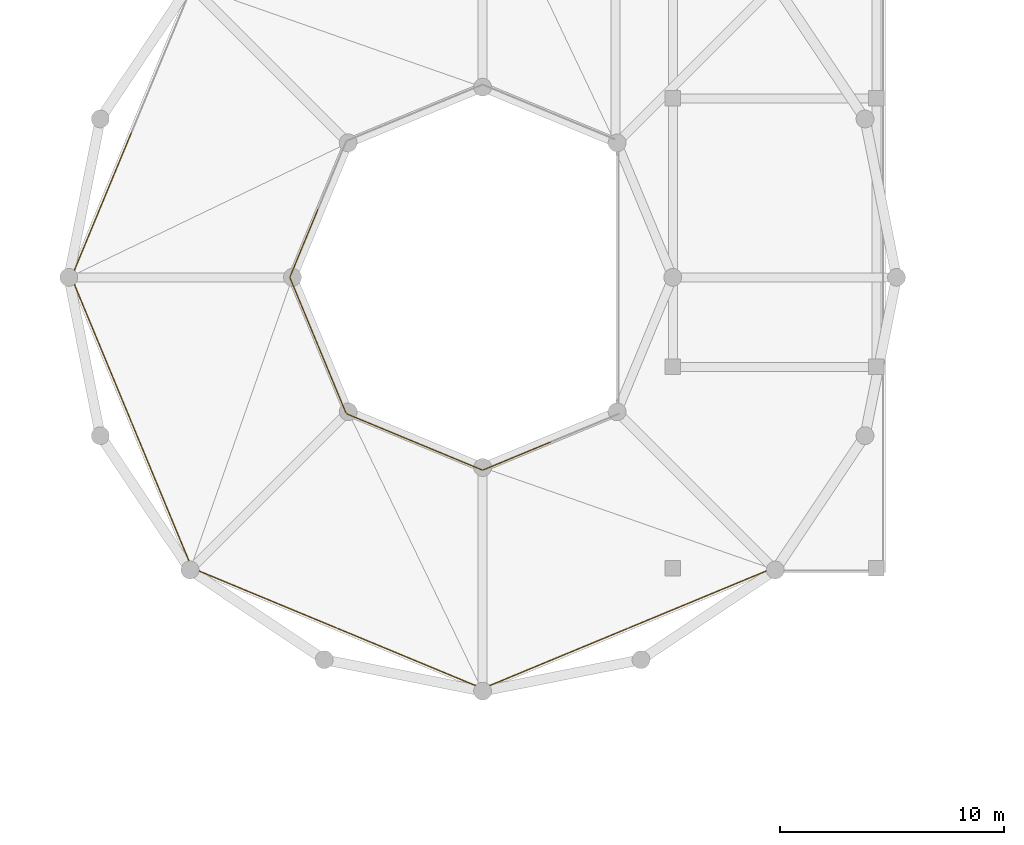
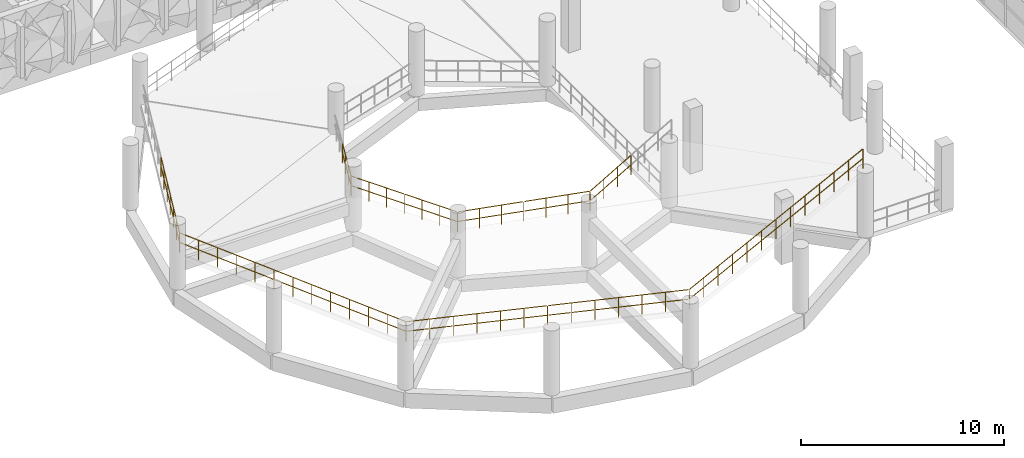
# One storey, part 106 of 123: 13 railings.
"""IFC4 building model written with IfcOpenShell, lengths in metres."""

import ifcopenshell
import ifcopenshell.guid

model = None  # the IFC model being written
_history = None  # IfcOwnerHistory: only IFC2X3 demands one
_inside = {}  # id of a spatial element -> (the spatial element, [elements in it])
_under = {}  # id of a project, library or spatial element -> (it, [spatial elements below it])
_declared = {}  # id of a project -> (the project, [libraries it declares])
_typed = {}  # id of a type object -> (the type object, [elements of that type])
_made_of = {}  # id of a material, layer set ... -> (it, [elements and type objects made of it])


def new_model(schema):
    """Start an empty IFC model of exactly this schema.

    Asked for "IFC4X3", IfcOpenShell would pick the latest addendum, in which some entities
    have other attributes; the version numbers below select the first issue.
    IFC2X3 requires an IfcOwnerHistory on every rooted entity: one is made here for all.
    """
    global model, _history
    if schema == "IFC4X3":
        model = ifcopenshell.file(schema_version=(4, 3, 0, 0))
    else:
        model = ifcopenshell.file(schema=schema)
    _inside.clear()
    _under.clear()
    _declared.clear()
    _typed.clear()
    _made_of.clear()
    _history = None
    if model.schema == "IFC2X3":
        org = make("IfcOrganization", Name="unknown")
        user = make(
            "IfcPersonAndOrganization",
            ThePerson=make("IfcPerson", FamilyName="unknown"),
            TheOrganization=org,
        )
        app = make(
            "IfcApplication",
            ApplicationDeveloper=org,
            Version="unknown",
            ApplicationFullName="unknown",
            ApplicationIdentifier="unknown",
        )
        _history = make(
            "IfcOwnerHistory",
            OwningUser=user,
            OwningApplication=app,
            ChangeAction="ADDED",
            CreationDate=0,
        )
    return model


def make(cls, **values):
    """One entity of the class cls with the attributes given. An attribute that is None is left unset."""
    return model.create_entity(
        cls, **{name: value for name, value in values.items() if value is not None}
    )


def rooted(cls, **values):
    """An entity with a GlobalId (a new one), such as an element, a storey or a relation."""
    return make(cls, GlobalId=ifcopenshell.guid.new(), OwnerHistory=_history, **values)


def si_unit(unit_type, name, prefix=None):
    """IfcSIUnit, for example si_unit("LENGTHUNIT", "METRE", prefix="MILLI")."""
    return make("IfcSIUnit", UnitType=unit_type, Prefix=prefix, Name=name)


def derived_unit(unit_type, elements):
    """IfcDerivedUnit: a product of units, each with its exponent."""
    return make(
        "IfcDerivedUnit",
        Elements=[
            make("IfcDerivedUnitElement", Unit=unit, Exponent=power)
            for unit, power in elements
        ],
        UnitType=unit_type,
    )


def assignment(units):
    """IfcUnitAssignment: the units of a project."""
    return None if units is None else make("IfcUnitAssignment", Units=units)


def point(xyz):
    """IfcCartesianPoint."""
    return None if xyz is None else make("IfcCartesianPoint", Coordinates=xyz)


def direction(xyz):
    """IfcDirection."""
    return None if xyz is None else make("IfcDirection", DirectionRatios=xyz)


def frame(location, z_axis=None, x_axis=None):
    """IfcAxis2Placement3D, a coordinate frame: its origin and axes. An axis left out is left unset."""
    return make(
        "IfcAxis2Placement3D",
        Location=point(location),
        Axis=direction(z_axis),
        RefDirection=direction(x_axis),
    )


def frame_2d(location, x_axis=None):
    """IfcAxis2Placement2D, a coordinate frame in the plane: its origin and x axis."""
    return make(
        "IfcAxis2Placement2D", Location=point(location), RefDirection=direction(x_axis)
    )


def origin():
    """The frame at (0, 0, 0) with its axes left unset."""
    return frame((0.0, 0.0, 0.0))


def origin_2d():
    """The frame at (0, 0) in the plane with its x axis left unset."""
    return frame_2d((0.0, 0.0))


def place(relative_to, where):
    """IfcLocalPlacement: puts the frame where relative to a parent placement (None: the world)."""
    return make(
        "IfcLocalPlacement", PlacementRelTo=relative_to, RelativePlacement=where
    )


def context(
    kind, dimensions, precision=None, world=None, true_north=None, identifier=None
):
    """IfcGeometricRepresentationContext, for example the 3D "Model" context."""
    return make(
        "IfcGeometricRepresentationContext",
        ContextIdentifier=identifier,
        ContextType=kind,
        CoordinateSpaceDimension=dimensions,
        Precision=precision,
        WorldCoordinateSystem=world,
        TrueNorth=true_north,
    )


def subcontext(parent, identifier, kind, view, scale=None):
    """IfcGeometricRepresentationSubContext, for example "Body" below "Model"."""
    return make(
        "IfcGeometricRepresentationSubContext",
        ContextIdentifier=identifier,
        ContextType=kind,
        ParentContext=parent,
        TargetScale=scale,
        TargetView=view,
    )


def project(units=None, contexts=None):
    """IfcProject with its units and contexts."""
    return rooted(
        "IfcProject",
        Name="project",
        RepresentationContexts=contexts,
        UnitsInContext=assignment(units),
    )


def spatial(cls, under=None, at=None, **own):
    """A site, building, storey or space (cls), placed at a placement, below another one or the project."""
    s = rooted(cls, ObjectPlacement=at, **own)
    if under is not None:
        _under.setdefault(under.id(), (under, []))[1].append(s)
    return s


def profile(cls, at=None, kind="AREA", **sizes):
    """A parametric profile (cls). Its sizes go by their IFC names, for example OverallWidth=200.0."""
    return make(cls, ProfileType=kind, Position=at, **sizes)


def circle(**sizes):
    """IfcCircleProfileDef."""
    return profile("IfcCircleProfileDef", **sizes)


def extrude(swept, where, along, depth):
    """IfcExtrudedAreaSolid: the profile swept, set in the frame where, extruded along a direction by depth."""
    return make(
        "IfcExtrudedAreaSolid",
        SweptArea=swept,
        Position=where,
        ExtrudedDirection=direction(along),
        Depth=depth,
    )


def shape(context_of_items, identifier, shape_type, items):
    """IfcShapeRepresentation: the items that make up one representation, for example the "Body"."""
    return make(
        "IfcShapeRepresentation",
        ContextOfItems=context_of_items,
        RepresentationIdentifier=identifier,
        RepresentationType=shape_type,
        Items=items,
    )


def material(Name=None, Category=None):
    """IfcMaterial."""
    return make("IfcMaterial", Name=Name, Category=Category)


def made_of(thing, what):
    """Note that an element or type object is made of a material, layer set ...; save() writes the relation."""
    if what is not None:
        _made_of.setdefault(what.id(), (what, []))[1].append(thing)
    return thing


def type_object(cls, material=None, **own):
    """A type object (cls), such as IfcWallType, which elements share."""
    return made_of(rooted(cls, **own), material)


def element(
    cls,
    number,
    at=None,
    inside=None,
    cuts=None,
    type_object=None,
    material=None,
    context=None,
    identifier="Body",
    shape_type=None,
    held_by="IfcProductDefinitionShape",
    body=None,
    shapes=None,
    **own,
):
    """One element of the class cls, such as IfcWall. Its Tag is "e" and its number.

    at: its placement. inside: the storey or other place that contains it. cuts: it is an
    opening in that element (IfcRelVoidsElement). A single representation is given by context,
    identifier, shape_type and body (its items); several are given by shapes. held_by: the class
    of the entity that holds the representations. save() writes the other relations.
    """
    e = rooted(cls, Tag="e%d" % number, ObjectPlacement=at, **own)
    if body is not None:
        shapes = [shape(context, identifier, shape_type, body)]
    if shapes is not None:
        e.Representation = make(held_by, Representations=shapes)
    if inside is not None:
        _inside.setdefault(inside.id(), (inside, []))[1].append(e)
    if cuts is not None:
        rooted(
            "IfcRelVoidsElement", RelatingBuildingElement=cuts, RelatedOpeningElement=e
        )
    if type_object is not None:
        _typed.setdefault(type_object.id(), (type_object, []))[1].append(e)
    return made_of(e, material)


def aggregate(whole, parts):
    """IfcRelAggregates: a whole, such as a stair, and the parts it consists of."""
    return rooted("IfcRelAggregates", RelatingObject=whole, RelatedObjects=parts)


def save(model, path):
    """Write the relations noted so far, then the file.

    IfcRelAggregates (storeys below a building ...), IfcRelContainedInSpatialStructure (elements
    in a storey), IfcRelDefinesByType, IfcRelAssociatesMaterial and IfcRelDeclares: one each for
    every whole, place, type object, material and project.
    """
    for whole, parts in _under.values():
        aggregate(whole, parts)
    for where, things in _inside.values():
        rooted(
            "IfcRelContainedInSpatialStructure",
            RelatedElements=things,
            RelatingStructure=where,
        )
    for kind, things in _typed.values():
        rooted("IfcRelDefinesByType", RelatedObjects=things, RelatingType=kind)
    for what, things in _made_of.values():
        rooted("IfcRelAssociatesMaterial", RelatedObjects=things, RelatingMaterial=what)
    for by, libraries in _declared.values():
        rooted("IfcRelDeclares", RelatingContext=by, RelatedDefinitions=libraries)
    model.write(path)


model = new_model("IFC4")

# Units and contexts
model_context = context("Model", 3, precision=1e-05, world=origin(), true_north=direction((0.0, 1.0)))
body_context = subcontext(model_context, "Body", "Model", "MODEL_VIEW")
ifc_project = project(units=[si_unit("LENGTHUNIT", "METRE"), si_unit("AREAUNIT", "SQUARE_METRE"), si_unit("VOLUMEUNIT", "CUBIC_METRE"), si_unit("PLANEANGLEUNIT", "RADIAN"), si_unit("MASSUNIT", "GRAM", prefix="KILO"), si_unit("THERMODYNAMICTEMPERATUREUNIT", "KELVIN"), derived_unit("THERMALTRANSMITTANCEUNIT", [(si_unit("POWERUNIT", "WATT"), 1), (si_unit("AREAUNIT", "SQUARE_METRE"), -1), (si_unit("THERMODYNAMICTEMPERATUREUNIT", "KELVIN"), -1)])], contexts=[model_context])

# Site, building, storey
site_placement = place(None, origin())
site = spatial("IfcSite", under=ifc_project, at=site_placement, CompositionType="ELEMENT")
building_placement = place(site_placement, origin())
building = spatial("IfcBuilding", under=site, at=building_placement, Name="Haiyu Intermodal Mobility Hub", CompositionType="ELEMENT")
storey_placement = place(building_placement, frame((0.0, 0.0, 5.60009765625)))
storey = spatial("IfcBuildingStorey", under=building, at=storey_placement, Name="L01", CompositionType="ELEMENT", Elevation=5.60009765625)

# Railings
ifc_material = material(Name="Steel Q355C", Category="steel")
railing_type = type_object("IfcRailingType", Name="RAL-GR01", PredefinedType="GUARDRAIL", material=ifc_material)
railing_1_placement = place(storey_placement, frame((18.31201171875, 66.498046875, 1.625)))
element("IfcRailing", 1, at=railing_1_placement, inside=storey, type_object=railing_type, Name="RAL-VRMP-O-L01-03B", PredefinedType="GUARDRAIL", context=body_context, shape_type="SweptSolid", body=[
    extrude(circle(Radius=0.02392578125, at=origin_2d()), frame((-0.011474609375, -0.027587890625, 1.17724609375), z_axis=(-0.382313907833, -0.922879282684, 0.046150898905), x_axis=(0.923863678282, -0.382721705618, 0.0)), (0.0, 0.0, 1.0), 6.98095703125),
    extrude(circle(Radius=0.02392578125, at=origin_2d()), frame((-0.01416015625, -0.034423828125, 0.601806640625), z_axis=(-0.382313907833, -0.922879282684, 0.046150898905), x_axis=(0.923863678282, -0.382721705618, 0.0)), (0.0, 0.0, 1.0), 1.098876953125),
    extrude(circle(Radius=0.02392578125, at=origin_2d()), frame((-0.462890625, -1.117431640625, 0.65576171875), z_axis=(-0.382313907833, -0.922879282684, 0.046150898905), x_axis=(0.923863678282, -0.382721705618, 0.0)), (0.0, 0.0, 1.0), 1.098876953125),
    extrude(circle(Radius=0.02392578125, at=origin_2d()), frame((-0.91162109375, -2.200439453125, 0.7099609375), z_axis=(-0.382313907833, -0.922879282684, 0.046150898905), x_axis=(0.923863678282, -0.382721705618, 0.0)), (0.0, 0.0, 1.0), 1.098876953125),
    extrude(circle(Radius=0.02392578125, at=origin_2d()), frame((-1.360107421875, -3.283447265625, 0.76416015625), z_axis=(-0.382313907833, -0.922879282684, 0.046150898905), x_axis=(0.923863678282, -0.382721705618, 0.0)), (0.0, 0.0, 1.0), 1.098876953125),
    extrude(circle(Radius=0.02392578125, at=origin_2d()), frame((-1.808837890625, -4.366455078125, 0.818359375), z_axis=(-0.382313907833, -0.922879282684, 0.046150898905), x_axis=(0.923863678282, -0.382721705618, 0.0)), (0.0, 0.0, 1.0), 1.098876953125),
    extrude(circle(Radius=0.02392578125, at=origin_2d()), frame((-2.257568359375, -5.449462890625, 0.87255859375), z_axis=(-0.382313907833, -0.922879282684, 0.046150898905), x_axis=(0.923863678282, -0.382721705618, 0.0)), (0.0, 0.0, 1.0), 1.098876953125),
    extrude(circle(Radius=0.02099609375, at=origin_2d()), origin(), (0.0, 0.0, 1.0), 1.143798828125),
    extrude(circle(Radius=0.02099609375, at=origin_2d()), frame((-0.44873046875, -1.0830078125, 0.05419921875)), (0.0, 0.0, 1.0), 1.143798828125),
    extrude(circle(Radius=0.02099609375, at=origin_2d()), frame((-0.897216796875, -2.166015625, 0.1083984375)), (0.0, 0.0, 1.0), 1.143798828125),
    extrude(circle(Radius=0.02099609375, at=origin_2d()), frame((-1.345947265625, -3.2490234375, 0.16259765625)), (0.0, 0.0, 1.0), 1.143798828125),
    extrude(circle(Radius=0.02099609375, at=origin_2d()), frame((-1.794677734375, -4.33203125, 0.216552734375)), (0.0, 0.0, 1.0), 1.143798828125),
    extrude(circle(Radius=0.02099609375, at=origin_2d()), frame((-2.2431640625, -5.4150390625, 0.270751953125)), (0.0, 0.0, 1.0), 1.143798828125),
    extrude(circle(Radius=0.02099609375, at=origin_2d()), frame((-2.69189453125, -6.498046875, 0.324951171875)), (0.0, 0.0, 1.0), 1.143798828125),
])
railing_2_placement = place(storey_placement, frame((26.64208984375, 63.048095703125, 1.625)))
element("IfcRailing", 2, at=railing_2_placement, inside=storey, type_object=railing_type, Name="RAL-VRMP-I-L01-03B", PredefinedType="GUARDRAIL", context=body_context, shape_type="SweptSolid", body=[
    extrude(circle(Radius=0.02392578125, at=origin_2d()), frame((-0.011474609375, -0.027587890625, 1.178955078125), z_axis=(-0.380748953641, -0.919468217836, 0.098022602959), x_axis=(0.923917630863, -0.382591441855, 0.0)), (0.0, 0.0, 1.0), 3.255126953125),
    extrude(circle(Radius=0.02392578125, at=origin_2d()), frame((-0.01416015625, -0.0341796875, 0.603515625), z_axis=(-0.380748953641, -0.919468217836, 0.098022602959), x_axis=(0.923917630863, -0.382591441855, 0.0)), (0.0, 0.0, 1.0), 1.030517578125),
    extrude(circle(Radius=0.02392578125, at=origin_2d()), frame((-0.434814453125, -1.05029296875, 0.7119140625), z_axis=(-0.380748953641, -0.919468217836, 0.098022602959), x_axis=(0.923917630863, -0.382591441855, 0.0)), (0.0, 0.0, 1.0), 1.030517578125),
    extrude(circle(Radius=0.02392578125, at=origin_2d()), frame((-0.855712890625, -2.06640625, 0.8203125), z_axis=(-0.380748953641, -0.919468217836, 0.098022602959), x_axis=(0.923917630863, -0.382591441855, 0.0)), (0.0, 0.0, 1.0), 1.030517578125),
    extrude(circle(Radius=0.02099609375, at=origin_2d()), origin(), (0.0, 0.0, 1.0), 1.143798828125),
    extrude(circle(Radius=0.02099609375, at=origin_2d()), frame((-0.420654296875, -1.01611328125, 0.1083984375)), (0.0, 0.0, 1.0), 1.143798828125),
    extrude(circle(Radius=0.02099609375, at=origin_2d()), frame((-0.841552734375, -2.031982421875, 0.216552734375)), (0.0, 0.0, 1.0), 1.143798828125),
    extrude(circle(Radius=0.02099609375, at=origin_2d()), frame((-1.26220703125, -3.048095703125, 0.324951171875)), (0.0, 0.0, 1.0), 1.143798828125),
])
railing_3_placement = place(storey_placement, frame((15.6201171875, 60.0, 1.949951171875)))
element("IfcRailing", 3, at=railing_3_placement, inside=storey, type_object=railing_type, Name="RAL-VRMP-O-L01-04A", PredefinedType="GUARDRAIL", context=body_context, shape_type="SweptSolid", body=[
    extrude(circle(Radius=0.02392578125, at=origin_2d()), frame((0.011474609375, -0.027587890625, 1.17724609375), z_axis=(0.382313907833, -0.922879282684, 0.046150898905), x_axis=(0.923863678282, 0.382721705618, 0.0)), (0.0, 0.0, 1.0), 6.98095703125),
    extrude(circle(Radius=0.02392578125, at=origin_2d()), frame((0.01416015625, -0.034423828125, 0.601806640625), z_axis=(0.382313907833, -0.922879282684, 0.046150898905), x_axis=(0.923863678282, 0.382721705618, 0.0)), (0.0, 0.0, 1.0), 1.098876953125),
    extrude(circle(Radius=0.02392578125, at=origin_2d()), frame((0.462890625, -1.117431640625, 0.65576171875), z_axis=(0.382313907833, -0.922879282684, 0.046150898905), x_axis=(0.923863678282, 0.382721705618, 0.0)), (0.0, 0.0, 1.0), 1.098876953125),
    extrude(circle(Radius=0.02392578125, at=origin_2d()), frame((0.91162109375, -2.200439453125, 0.7099609375), z_axis=(0.382313907833, -0.922879282684, 0.046150898905), x_axis=(0.923863678282, 0.382721705618, 0.0)), (0.0, 0.0, 1.0), 1.098876953125),
    extrude(circle(Radius=0.02392578125, at=origin_2d()), frame((1.360107421875, -3.283447265625, 0.76416015625), z_axis=(0.382313907833, -0.922879282684, 0.046150898905), x_axis=(0.923863678282, 0.382721705618, 0.0)), (0.0, 0.0, 1.0), 1.098876953125),
    extrude(circle(Radius=0.02392578125, at=origin_2d()), frame((1.808837890625, -4.366455078125, 0.818359375), z_axis=(0.382313907833, -0.922879282684, 0.046150898905), x_axis=(0.923863678282, 0.382721705618, 0.0)), (0.0, 0.0, 1.0), 1.098876953125),
    extrude(circle(Radius=0.02392578125, at=origin_2d()), frame((2.257568359375, -5.449462890625, 0.87255859375), z_axis=(0.382313907833, -0.922879282684, 0.046150898905), x_axis=(0.923863678282, 0.382721705618, 0.0)), (0.0, 0.0, 1.0), 1.098876953125),
    extrude(circle(Radius=0.02099609375, at=origin_2d()), origin(), (0.0, 0.0, 1.0), 1.143798828125),
    extrude(circle(Radius=0.02099609375, at=origin_2d()), frame((0.44873046875, -1.0830078125, 0.05419921875)), (0.0, 0.0, 1.0), 1.143798828125),
    extrude(circle(Radius=0.02099609375, at=origin_2d()), frame((0.897216796875, -2.166015625, 0.1083984375)), (0.0, 0.0, 1.0), 1.143798828125),
    extrude(circle(Radius=0.02099609375, at=origin_2d()), frame((1.345947265625, -3.2490234375, 0.16259765625)), (0.0, 0.0, 1.0), 1.143798828125),
    extrude(circle(Radius=0.02099609375, at=origin_2d()), frame((1.794677734375, -4.33203125, 0.216552734375)), (0.0, 0.0, 1.0), 1.143798828125),
    extrude(circle(Radius=0.02099609375, at=origin_2d()), frame((2.2431640625, -5.4150390625, 0.270751953125)), (0.0, 0.0, 1.0), 1.143798828125),
    extrude(circle(Radius=0.02099609375, at=origin_2d()), frame((2.69189453125, -6.498046875, 0.324951171875)), (0.0, 0.0, 1.0), 1.143798828125),
])
railing_4_placement = place(storey_placement, frame((18.31201171875, 53.501953125, 2.27490234375)))
element("IfcRailing", 4, at=railing_4_placement, inside=storey, type_object=railing_type, Name="RAL-VRMP-O-L01-04B", PredefinedType="GUARDRAIL", context=body_context, shape_type="SweptSolid", body=[
    extrude(circle(Radius=0.02392578125, at=origin_2d()), frame((0.011474609375, -0.027587890625, 1.17724609375), z_axis=(0.382313907833, -0.922879282684, 0.046150898905), x_axis=(0.923863678282, 0.382721705618, 0.0)), (0.0, 0.0, 1.0), 6.98095703125),
    extrude(circle(Radius=0.02392578125, at=origin_2d()), frame((0.01416015625, -0.034423828125, 0.601806640625), z_axis=(0.382313907833, -0.922879282684, 0.046150898905), x_axis=(0.923863678282, 0.382721705618, 0.0)), (0.0, 0.0, 1.0), 1.098876953125),
    extrude(circle(Radius=0.02392578125, at=origin_2d()), frame((0.462890625, -1.117431640625, 0.65576171875), z_axis=(0.382313907833, -0.922879282684, 0.046150898905), x_axis=(0.923863678282, 0.382721705618, 0.0)), (0.0, 0.0, 1.0), 1.098876953125),
    extrude(circle(Radius=0.02392578125, at=origin_2d()), frame((0.91162109375, -2.200439453125, 0.7099609375), z_axis=(0.382313907833, -0.922879282684, 0.046150898905), x_axis=(0.923863678282, 0.382721705618, 0.0)), (0.0, 0.0, 1.0), 1.098876953125),
    extrude(circle(Radius=0.02392578125, at=origin_2d()), frame((1.360107421875, -3.283447265625, 0.76416015625), z_axis=(0.382313907833, -0.922879282684, 0.046150898905), x_axis=(0.923863678282, 0.382721705618, 0.0)), (0.0, 0.0, 1.0), 1.098876953125),
    extrude(circle(Radius=0.02392578125, at=origin_2d()), frame((1.808837890625, -4.366455078125, 0.818359375), z_axis=(0.382313907833, -0.922879282684, 0.046150898905), x_axis=(0.923863678282, 0.382721705618, 0.0)), (0.0, 0.0, 1.0), 1.098876953125),
    extrude(circle(Radius=0.02392578125, at=origin_2d()), frame((2.257568359375, -5.449462890625, 0.87255859375), z_axis=(0.382313907833, -0.922879282684, 0.046150898905), x_axis=(0.923863678282, 0.382721705618, 0.0)), (0.0, 0.0, 1.0), 1.098876953125),
    extrude(circle(Radius=0.02099609375, at=origin_2d()), origin(), (0.0, 0.0, 1.0), 1.143798828125),
    extrude(circle(Radius=0.02099609375, at=origin_2d()), frame((0.44873046875, -1.0830078125, 0.05419921875)), (0.0, 0.0, 1.0), 1.143798828125),
    extrude(circle(Radius=0.02099609375, at=origin_2d()), frame((0.897216796875, -2.166015625, 0.1083984375)), (0.0, 0.0, 1.0), 1.143798828125),
    extrude(circle(Radius=0.02099609375, at=origin_2d()), frame((1.345947265625, -3.2490234375, 0.16259765625)), (0.0, 0.0, 1.0), 1.143798828125),
    extrude(circle(Radius=0.02099609375, at=origin_2d()), frame((1.794677734375, -4.33203125, 0.216552734375)), (0.0, 0.0, 1.0), 1.143798828125),
    extrude(circle(Radius=0.02099609375, at=origin_2d()), frame((2.2431640625, -5.4150390625, 0.270751953125)), (0.0, 0.0, 1.0), 1.143798828125),
    extrude(circle(Radius=0.02099609375, at=origin_2d()), frame((2.69189453125, -6.498046875, 0.324951171875)), (0.0, 0.0, 1.0), 1.143798828125),
])
railing_5_placement = place(storey_placement, frame((25.3798828125, 60.0, 1.949951171875)))
element("IfcRailing", 5, at=railing_5_placement, inside=storey, type_object=railing_type, Name="RAL-VRMP-I-L01-04A", PredefinedType="GUARDRAIL", context=body_context, shape_type="SweptSolid", body=[
    extrude(circle(Radius=0.02392578125, at=origin_2d()), frame((0.011474609375, -0.027587890625, 1.178955078125), z_axis=(0.380748953641, -0.919468217836, 0.098022602959), x_axis=(0.923917630863, 0.382591441855, 0.0)), (0.0, 0.0, 1.0), 3.255126953125),
    extrude(circle(Radius=0.02392578125, at=origin_2d()), frame((0.01416015625, -0.0341796875, 0.603515625), z_axis=(0.380748953641, -0.919468217836, 0.098022602959), x_axis=(0.923917630863, 0.382591441855, 0.0)), (0.0, 0.0, 1.0), 1.030517578125),
    extrude(circle(Radius=0.02392578125, at=origin_2d()), frame((0.434814453125, -1.05029296875, 0.7119140625), z_axis=(0.380748953641, -0.919468217836, 0.098022602959), x_axis=(0.923917630863, 0.382591441855, 0.0)), (0.0, 0.0, 1.0), 1.030517578125),
    extrude(circle(Radius=0.02392578125, at=origin_2d()), frame((0.855712890625, -2.06640625, 0.8203125), z_axis=(0.380748953641, -0.919468217836, 0.098022602959), x_axis=(0.923917630863, 0.382591441855, 0.0)), (0.0, 0.0, 1.0), 1.030517578125),
    extrude(circle(Radius=0.02099609375, at=origin_2d()), origin(), (0.0, 0.0, 1.0), 1.143798828125),
    extrude(circle(Radius=0.02099609375, at=origin_2d()), frame((0.420654296875, -1.01611328125, 0.1083984375)), (0.0, 0.0, 1.0), 1.143798828125),
    extrude(circle(Radius=0.02099609375, at=origin_2d()), frame((0.841552734375, -2.031982421875, 0.216552734375)), (0.0, 0.0, 1.0), 1.143798828125),
    extrude(circle(Radius=0.02099609375, at=origin_2d()), frame((1.26220703125, -3.048095703125, 0.324951171875)), (0.0, 0.0, 1.0), 1.143798828125),
])
railing_6_placement = place(storey_placement, frame((26.64208984375, 56.951904296875, 2.27490234375)))
element("IfcRailing", 6, at=railing_6_placement, inside=storey, type_object=railing_type, Name="RAL-VRMP-I-L01-04B", PredefinedType="GUARDRAIL", context=body_context, shape_type="SweptSolid", body=[
    extrude(circle(Radius=0.02392578125, at=origin_2d()), frame((0.011474609375, -0.027587890625, 1.178955078125), z_axis=(0.381066832043, -0.919333861182, 0.098047545612), x_axis=(0.923784904849, 0.382911803909, 0.0)), (0.0, 0.0, 1.0), 3.254150390625),
    extrude(circle(Radius=0.02392578125, at=origin_2d()), frame((0.01416015625, -0.0341796875, 0.603515625), z_axis=(0.381066832043, -0.919333861182, 0.098047545612), x_axis=(0.923784904849, 0.382911803909, 0.0)), (0.0, 0.0, 1.0), 1.030029296875),
    extrude(circle(Radius=0.02392578125, at=origin_2d()), frame((0.435302734375, -1.0498046875, 0.7119140625), z_axis=(0.381066832043, -0.919333861182, 0.098047545612), x_axis=(0.923784904849, 0.382911803909, 0.0)), (0.0, 0.0, 1.0), 1.030029296875),
    extrude(circle(Radius=0.02392578125, at=origin_2d()), frame((0.856201171875, -2.0654296875, 0.8203125), z_axis=(0.381066832043, -0.919333861182, 0.098047545612), x_axis=(0.923784904849, 0.382911803909, 0.0)), (0.0, 0.0, 1.0), 1.030029296875),
    extrude(circle(Radius=0.02099609375, at=origin_2d()), origin(), (0.0, 0.0, 1.0), 1.143798828125),
    extrude(circle(Radius=0.02099609375, at=origin_2d()), frame((0.4208984375, -1.015625, 0.1083984375)), (0.0, 0.0, 1.0), 1.143798828125),
    extrude(circle(Radius=0.02099609375, at=origin_2d()), frame((0.842041015625, -2.03125, 0.216552734375)), (0.0, 0.0, 1.0), 1.143798828125),
    extrude(circle(Radius=0.02099609375, at=origin_2d()), frame((1.262939453125, -3.046875, 0.324951171875)), (0.0, 0.0, 1.0), 1.143798828125),
])
railing_7_placement = place(storey_placement, frame((21.00390625, 47.00390625, 2.599853515625)))
element("IfcRailing", 7, at=railing_7_placement, inside=storey, type_object=railing_type, Name="RAL-VRMP-O-L01-05A", PredefinedType="GUARDRAIL", context=body_context, shape_type="SweptSolid", body=[
    extrude(circle(Radius=0.02392578125, at=origin_2d()), frame((0.027587890625, -0.011474609375, 1.17724609375), z_axis=(0.922879282684, -0.382313907833, 0.046150898905), x_axis=(0.382721705618, 0.923863678282, 0.0)), (0.0, 0.0, 1.0), 6.98095703125),
    extrude(circle(Radius=0.02392578125, at=origin_2d()), frame((0.034423828125, -0.01416015625, 0.601806640625), z_axis=(0.922879282684, -0.382313907833, 0.046150898905), x_axis=(0.382721705618, 0.923863678282, 0.0)), (0.0, 0.0, 1.0), 1.098876953125),
    extrude(circle(Radius=0.02392578125, at=origin_2d()), frame((1.117431640625, -0.462890625, 0.65576171875), z_axis=(0.922879282684, -0.382313907833, 0.046150898905), x_axis=(0.382721705618, 0.923863678282, 0.0)), (0.0, 0.0, 1.0), 1.098876953125),
    extrude(circle(Radius=0.02392578125, at=origin_2d()), frame((2.200439453125, -0.91162109375, 0.7099609375), z_axis=(0.922879282684, -0.382313907833, 0.046150898905), x_axis=(0.382721705618, 0.923863678282, 0.0)), (0.0, 0.0, 1.0), 1.098876953125),
    extrude(circle(Radius=0.02392578125, at=origin_2d()), frame((3.283447265625, -1.360107421875, 0.76416015625), z_axis=(0.922879282684, -0.382313907833, 0.046150898905), x_axis=(0.382721705618, 0.923863678282, 0.0)), (0.0, 0.0, 1.0), 1.098876953125),
    extrude(circle(Radius=0.02392578125, at=origin_2d()), frame((4.366455078125, -1.808837890625, 0.818359375), z_axis=(0.922879282684, -0.382313907833, 0.046150898905), x_axis=(0.382721705618, 0.923863678282, 0.0)), (0.0, 0.0, 1.0), 1.098876953125),
    extrude(circle(Radius=0.02392578125, at=origin_2d()), frame((5.449462890625, -2.257568359375, 0.87255859375), z_axis=(0.922879282684, -0.382313907833, 0.046150898905), x_axis=(0.382721705618, 0.923863678282, 0.0)), (0.0, 0.0, 1.0), 1.098876953125),
    extrude(circle(Radius=0.02099609375, at=origin_2d()), origin(), (0.0, 0.0, 1.0), 1.143798828125),
    extrude(circle(Radius=0.02099609375, at=origin_2d()), frame((1.0830078125, -0.44873046875, 0.05419921875)), (0.0, 0.0, 1.0), 1.143798828125),
    extrude(circle(Radius=0.02099609375, at=origin_2d()), frame((2.166015625, -0.897216796875, 0.1083984375)), (0.0, 0.0, 1.0), 1.143798828125),
    extrude(circle(Radius=0.02099609375, at=origin_2d()), frame((3.2490234375, -1.345947265625, 0.16259765625)), (0.0, 0.0, 1.0), 1.143798828125),
    extrude(circle(Radius=0.02099609375, at=origin_2d()), frame((4.33203125, -1.794677734375, 0.216552734375)), (0.0, 0.0, 1.0), 1.143798828125),
    extrude(circle(Radius=0.02099609375, at=origin_2d()), frame((5.4150390625, -2.2431640625, 0.270751953125)), (0.0, 0.0, 1.0), 1.143798828125),
    extrude(circle(Radius=0.02099609375, at=origin_2d()), frame((6.498046875, -2.69189453125, 0.324951171875)), (0.0, 0.0, 1.0), 1.143798828125),
])
railing_8_placement = place(storey_placement, frame((27.501953125, 44.31201171875, 2.9248046875)))
element("IfcRailing", 8, at=railing_8_placement, inside=storey, type_object=railing_type, Name="RAL-VRMP-O-L01-05B", PredefinedType="GUARDRAIL", context=body_context, shape_type="SweptSolid", body=[
    extrude(circle(Radius=0.02392578125, at=origin_2d()), frame((0.027587890625, -0.011474609375, 1.17724609375), z_axis=(0.922877805314, -0.382313295814, 0.046185498823), x_axis=(0.382721705618, 0.923863678282, 0.0)), (0.0, 0.0, 1.0), 6.98095703125),
    extrude(circle(Radius=0.02392578125, at=origin_2d()), frame((0.034423828125, -0.01416015625, 0.601806640625), z_axis=(0.922877805314, -0.382313295814, 0.046185498823), x_axis=(0.382721705618, 0.923863678282, 0.0)), (0.0, 0.0, 1.0), 1.098876953125),
    extrude(circle(Radius=0.02392578125, at=origin_2d()), frame((1.117431640625, -0.462890625, 0.656005859375), z_axis=(0.922877805314, -0.382313295814, 0.046185498823), x_axis=(0.382721705618, 0.923863678282, 0.0)), (0.0, 0.0, 1.0), 1.098876953125),
    extrude(circle(Radius=0.02392578125, at=origin_2d()), frame((2.200439453125, -0.91162109375, 0.710205078125), z_axis=(0.922877805314, -0.382313295814, 0.046185498823), x_axis=(0.382721705618, 0.923863678282, 0.0)), (0.0, 0.0, 1.0), 1.098876953125),
    extrude(circle(Radius=0.02392578125, at=origin_2d()), frame((3.283447265625, -1.360107421875, 0.764404296875), z_axis=(0.922877805314, -0.382313295814, 0.046185498823), x_axis=(0.382721705618, 0.923863678282, 0.0)), (0.0, 0.0, 1.0), 1.098876953125),
    extrude(circle(Radius=0.02392578125, at=origin_2d()), frame((4.366455078125, -1.808837890625, 0.818603515625), z_axis=(0.922877805314, -0.382313295814, 0.046185498823), x_axis=(0.382721705618, 0.923863678282, 0.0)), (0.0, 0.0, 1.0), 1.098876953125),
    extrude(circle(Radius=0.02392578125, at=origin_2d()), frame((5.449462890625, -2.257568359375, 0.872802734375), z_axis=(0.922877805314, -0.382313295814, 0.046185498823), x_axis=(0.382721705618, 0.923863678282, 0.0)), (0.0, 0.0, 1.0), 1.098876953125),
    extrude(circle(Radius=0.02099609375, at=origin_2d()), origin(), (0.0, 0.0, 1.0), 1.143798828125),
    extrude(circle(Radius=0.02099609375, at=origin_2d()), frame((1.0830078125, -0.44873046875, 0.05419921875)), (0.0, 0.0, 1.0), 1.143798828125),
    extrude(circle(Radius=0.02099609375, at=origin_2d()), frame((2.166015625, -0.897216796875, 0.1083984375)), (0.0, 0.0, 1.0), 1.143798828125),
    extrude(circle(Radius=0.02099609375, at=origin_2d()), frame((3.2490234375, -1.345947265625, 0.16259765625)), (0.0, 0.0, 1.0), 1.143798828125),
    extrude(circle(Radius=0.02099609375, at=origin_2d()), frame((4.33203125, -1.794677734375, 0.216796875)), (0.0, 0.0, 1.0), 1.143798828125),
    extrude(circle(Radius=0.02099609375, at=origin_2d()), frame((5.4150390625, -2.2431640625, 0.27099609375)), (0.0, 0.0, 1.0), 1.143798828125),
    extrude(circle(Radius=0.02099609375, at=origin_2d()), frame((6.498046875, -2.69189453125, 0.3251953125)), (0.0, 0.0, 1.0), 1.143798828125),
])
railing_9_placement = place(storey_placement, frame((27.905029296875, 53.905029296875, 2.599853515625)))
element("IfcRailing", 9, at=railing_9_placement, inside=storey, type_object=railing_type, Name="RAL-VRMP-I-L01-05A", PredefinedType="GUARDRAIL", context=body_context, shape_type="SweptSolid", body=[
    extrude(circle(Radius=0.02392578125, at=origin_2d()), frame((0.027587890625, -0.011474609375, 1.178955078125), z_axis=(0.919333861182, -0.381066832043, 0.098047545612), x_axis=(0.382911803909, 0.923784904849, 0.0)), (0.0, 0.0, 1.0), 3.254150390625),
    extrude(circle(Radius=0.02392578125, at=origin_2d()), frame((0.0341796875, -0.01416015625, 0.603515625), z_axis=(0.919333861182, -0.381066832043, 0.098047545612), x_axis=(0.382911803909, 0.923784904849, 0.0)), (0.0, 0.0, 1.0), 1.030029296875),
    extrude(circle(Radius=0.02392578125, at=origin_2d()), frame((1.0498046875, -0.435302734375, 0.7119140625), z_axis=(0.919333861182, -0.381066832043, 0.098047545612), x_axis=(0.382911803909, 0.923784904849, 0.0)), (0.0, 0.0, 1.0), 1.030029296875),
    extrude(circle(Radius=0.02392578125, at=origin_2d()), frame((2.0654296875, -0.856201171875, 0.8203125), z_axis=(0.919333861182, -0.381066832043, 0.098047545612), x_axis=(0.382911803909, 0.923784904849, 0.0)), (0.0, 0.0, 1.0), 1.030029296875),
    extrude(circle(Radius=0.02099609375, at=origin_2d()), origin(), (0.0, 0.0, 1.0), 1.143798828125),
    extrude(circle(Radius=0.02099609375, at=origin_2d()), frame((1.015625, -0.4208984375, 0.1083984375)), (0.0, 0.0, 1.0), 1.143798828125),
    extrude(circle(Radius=0.02099609375, at=origin_2d()), frame((2.03125, -0.842041015625, 0.216552734375)), (0.0, 0.0, 1.0), 1.143798828125),
    extrude(circle(Radius=0.02099609375, at=origin_2d()), frame((3.046875, -1.262939453125, 0.324951171875)), (0.0, 0.0, 1.0), 1.143798828125),
])
railing_10_placement = place(storey_placement, frame((30.951904296875, 52.64208984375, 2.9248046875)))
element("IfcRailing", 10, at=railing_10_placement, inside=storey, type_object=railing_type, Name="RAL-VRMP-I-L01-05B", PredefinedType="GUARDRAIL", context=body_context, shape_type="SweptSolid", body=[
    extrude(circle(Radius=0.02392578125, at=origin_2d()), frame((0.027587890625, -0.011474609375, 1.178955078125), z_axis=(0.919461577814, -0.380746204029, 0.09809554038), x_axis=(0.382591441855, 0.923917630863, 0.0)), (0.0, 0.0, 1.0), 3.255126953125),
    extrude(circle(Radius=0.02392578125, at=origin_2d()), frame((0.0341796875, -0.01416015625, 0.603515625), z_axis=(0.919461577814, -0.380746204029, 0.09809554038), x_axis=(0.382591441855, 0.923917630863, 0.0)), (0.0, 0.0, 1.0), 1.030517578125),
    extrude(circle(Radius=0.02392578125, at=origin_2d()), frame((1.05029296875, -0.434814453125, 0.7119140625), z_axis=(0.919461577814, -0.380746204029, 0.09809554038), x_axis=(0.382591441855, 0.923917630863, 0.0)), (0.0, 0.0, 1.0), 1.030517578125),
    extrude(circle(Radius=0.02392578125, at=origin_2d()), frame((2.06640625, -0.855712890625, 0.8203125), z_axis=(0.919461577814, -0.380746204029, 0.09809554038), x_axis=(0.382591441855, 0.923917630863, 0.0)), (0.0, 0.0, 1.0), 1.030517578125),
    extrude(circle(Radius=0.02099609375, at=origin_2d()), origin(), (0.0, 0.0, 1.0), 1.143798828125),
    extrude(circle(Radius=0.02099609375, at=origin_2d()), frame((1.01611328125, -0.420654296875, 0.1083984375)), (0.0, 0.0, 1.0), 1.143798828125),
    extrude(circle(Radius=0.02099609375, at=origin_2d()), frame((2.031982421875, -0.841552734375, 0.216796875)), (0.0, 0.0, 1.0), 1.143798828125),
    extrude(circle(Radius=0.02099609375, at=origin_2d()), frame((3.048095703125, -1.26220703125, 0.3251953125)), (0.0, 0.0, 1.0), 1.143798828125),
])
railing_11_placement = place(storey_placement, frame((34.0, 41.6201171875, 3.25)))
element("IfcRailing", 11, at=railing_11_placement, inside=storey, type_object=railing_type, Name="RAL-VRMP-O-L01-06A", PredefinedType="GUARDRAIL", context=body_context, shape_type="SweptSolid", body=[
    extrude(circle(Radius=0.02392578125, at=origin_2d()), frame((0.027587890625, 0.011474609375, 1.17724609375), z_axis=(0.922879282684, 0.382313907833, 0.046150898905), x_axis=(-0.382721705618, 0.923863678282, 0.0)), (0.0, 0.0, 1.0), 6.98095703125),
    extrude(circle(Radius=0.02392578125, at=origin_2d()), frame((0.034423828125, 0.01416015625, 0.601806640625), z_axis=(0.922879282684, 0.382313907833, 0.046150898905), x_axis=(-0.382721705618, 0.923863678282, 0.0)), (0.0, 0.0, 1.0), 1.098876953125),
    extrude(circle(Radius=0.02392578125, at=origin_2d()), frame((1.117431640625, 0.462890625, 0.65576171875), z_axis=(0.922879282684, 0.382313907833, 0.046150898905), x_axis=(-0.382721705618, 0.923863678282, 0.0)), (0.0, 0.0, 1.0), 1.098876953125),
    extrude(circle(Radius=0.02392578125, at=origin_2d()), frame((2.200439453125, 0.91162109375, 0.7099609375), z_axis=(0.922879282684, 0.382313907833, 0.046150898905), x_axis=(-0.382721705618, 0.923863678282, 0.0)), (0.0, 0.0, 1.0), 1.098876953125),
    extrude(circle(Radius=0.02392578125, at=origin_2d()), frame((3.283447265625, 1.360107421875, 0.76416015625), z_axis=(0.922879282684, 0.382313907833, 0.046150898905), x_axis=(-0.382721705618, 0.923863678282, 0.0)), (0.0, 0.0, 1.0), 1.098876953125),
    extrude(circle(Radius=0.02392578125, at=origin_2d()), frame((4.366455078125, 1.808837890625, 0.818359375), z_axis=(0.922879282684, 0.382313907833, 0.046150898905), x_axis=(-0.382721705618, 0.923863678282, 0.0)), (0.0, 0.0, 1.0), 1.098876953125),
    extrude(circle(Radius=0.02392578125, at=origin_2d()), frame((5.449462890625, 2.257568359375, 0.87255859375), z_axis=(0.922879282684, 0.382313907833, 0.046150898905), x_axis=(-0.382721705618, 0.923863678282, 0.0)), (0.0, 0.0, 1.0), 1.098876953125),
    extrude(circle(Radius=0.02099609375, at=origin_2d()), origin(), (0.0, 0.0, 1.0), 1.143798828125),
    extrude(circle(Radius=0.02099609375, at=origin_2d()), frame((1.0830078125, 0.44873046875, 0.05419921875)), (0.0, 0.0, 1.0), 1.143798828125),
    extrude(circle(Radius=0.02099609375, at=origin_2d()), frame((2.166015625, 0.897216796875, 0.1083984375)), (0.0, 0.0, 1.0), 1.143798828125),
    extrude(circle(Radius=0.02099609375, at=origin_2d()), frame((3.2490234375, 1.345947265625, 0.16259765625)), (0.0, 0.0, 1.0), 1.143798828125),
    extrude(circle(Radius=0.02099609375, at=origin_2d()), frame((4.33203125, 1.794677734375, 0.216552734375)), (0.0, 0.0, 1.0), 1.143798828125),
    extrude(circle(Radius=0.02099609375, at=origin_2d()), frame((5.4150390625, 2.2431640625, 0.270751953125)), (0.0, 0.0, 1.0), 1.143798828125),
    extrude(circle(Radius=0.02099609375, at=origin_2d()), frame((6.498046875, 2.69189453125, 0.324951171875)), (0.0, 0.0, 1.0), 1.143798828125),
])
railing_12_placement = place(storey_placement, frame((40.498046875, 44.31201171875, 3.574951171875)))
element("IfcRailing", 12, at=railing_12_placement, inside=storey, type_object=railing_type, Name="RAL-VRMP-O-L01-06B", PredefinedType="GUARDRAIL", context=body_context, shape_type="SweptSolid", body=[
    extrude(circle(Radius=0.02392578125, at=origin_2d()), frame((0.027587890625, 0.011474609375, 1.17724609375), z_axis=(0.922879282684, 0.382313907833, 0.046150898905), x_axis=(-0.382721705618, 0.923863678282, 0.0)), (0.0, 0.0, 1.0), 6.98095703125),
    extrude(circle(Radius=0.02392578125, at=origin_2d()), frame((0.034423828125, 0.01416015625, 0.601806640625), z_axis=(0.922879282684, 0.382313907833, 0.046150898905), x_axis=(-0.382721705618, 0.923863678282, 0.0)), (0.0, 0.0, 1.0), 1.098876953125),
    extrude(circle(Radius=0.02392578125, at=origin_2d()), frame((1.117431640625, 0.462890625, 0.65576171875), z_axis=(0.922879282684, 0.382313907833, 0.046150898905), x_axis=(-0.382721705618, 0.923863678282, 0.0)), (0.0, 0.0, 1.0), 1.098876953125),
    extrude(circle(Radius=0.02392578125, at=origin_2d()), frame((2.200439453125, 0.91162109375, 0.7099609375), z_axis=(0.922879282684, 0.382313907833, 0.046150898905), x_axis=(-0.382721705618, 0.923863678282, 0.0)), (0.0, 0.0, 1.0), 1.098876953125),
    extrude(circle(Radius=0.02392578125, at=origin_2d()), frame((3.283447265625, 1.360107421875, 0.76416015625), z_axis=(0.922879282684, 0.382313907833, 0.046150898905), x_axis=(-0.382721705618, 0.923863678282, 0.0)), (0.0, 0.0, 1.0), 1.098876953125),
    extrude(circle(Radius=0.02392578125, at=origin_2d()), frame((4.366455078125, 1.808837890625, 0.818359375), z_axis=(0.922879282684, 0.382313907833, 0.046150898905), x_axis=(-0.382721705618, 0.923863678282, 0.0)), (0.0, 0.0, 1.0), 1.098876953125),
    extrude(circle(Radius=0.02392578125, at=origin_2d()), frame((5.449462890625, 2.257568359375, 0.87255859375), z_axis=(0.922879282684, 0.382313907833, 0.046150898905), x_axis=(-0.382721705618, 0.923863678282, 0.0)), (0.0, 0.0, 1.0), 1.098876953125),
    extrude(circle(Radius=0.02099609375, at=origin_2d()), origin(), (0.0, 0.0, 1.0), 1.143798828125),
    extrude(circle(Radius=0.02099609375, at=origin_2d()), frame((1.0830078125, 0.44873046875, 0.05419921875)), (0.0, 0.0, 1.0), 1.143798828125),
    extrude(circle(Radius=0.02099609375, at=origin_2d()), frame((2.166015625, 0.897216796875, 0.1083984375)), (0.0, 0.0, 1.0), 1.143798828125),
    extrude(circle(Radius=0.02099609375, at=origin_2d()), frame((3.2490234375, 1.345947265625, 0.16259765625)), (0.0, 0.0, 1.0), 1.143798828125),
    extrude(circle(Radius=0.02099609375, at=origin_2d()), frame((4.33203125, 1.794677734375, 0.216552734375)), (0.0, 0.0, 1.0), 1.143798828125),
    extrude(circle(Radius=0.02099609375, at=origin_2d()), frame((5.4150390625, 2.2431640625, 0.270751953125)), (0.0, 0.0, 1.0), 1.143798828125),
    extrude(circle(Radius=0.02099609375, at=origin_2d()), frame((6.498046875, 2.69189453125, 0.324951171875)), (0.0, 0.0, 1.0), 1.143798828125),
])
railing_13_placement = place(storey_placement, frame((34.0, 51.3798828125, 3.25)))
element("IfcRailing", 13, at=railing_13_placement, inside=storey, type_object=railing_type, Name="RAL-VRMP-I-L01-06A", PredefinedType="GUARDRAIL", context=body_context, shape_type="SweptSolid", body=[
    extrude(circle(Radius=0.02392578125, at=origin_2d()), frame((0.027587890625, 0.011474609375, 1.178955078125), z_axis=(0.919468217836, 0.380748953641, 0.098022602959), x_axis=(-0.382591441855, 0.923917630863, 0.0)), (0.0, 0.0, 1.0), 3.255126953125),
    extrude(circle(Radius=0.02392578125, at=origin_2d()), frame((0.0341796875, 0.01416015625, 0.603515625), z_axis=(0.919468217836, 0.380748953641, 0.098022602959), x_axis=(-0.382591441855, 0.923917630863, 0.0)), (0.0, 0.0, 1.0), 1.030517578125),
    extrude(circle(Radius=0.02392578125, at=origin_2d()), frame((1.05029296875, 0.434814453125, 0.7119140625), z_axis=(0.919468217836, 0.380748953641, 0.098022602959), x_axis=(-0.382591441855, 0.923917630863, 0.0)), (0.0, 0.0, 1.0), 1.030517578125),
    extrude(circle(Radius=0.02392578125, at=origin_2d()), frame((2.06640625, 0.855712890625, 0.8203125), z_axis=(0.919468217836, 0.380748953641, 0.098022602959), x_axis=(-0.382591441855, 0.923917630863, 0.0)), (0.0, 0.0, 1.0), 1.030517578125),
    extrude(circle(Radius=0.02099609375, at=origin_2d()), origin(), (0.0, 0.0, 1.0), 1.143798828125),
    extrude(circle(Radius=0.02099609375, at=origin_2d()), frame((1.01611328125, 0.420654296875, 0.1083984375)), (0.0, 0.0, 1.0), 1.143798828125),
    extrude(circle(Radius=0.02099609375, at=origin_2d()), frame((2.031982421875, 0.841552734375, 0.216552734375)), (0.0, 0.0, 1.0), 1.143798828125),
    extrude(circle(Radius=0.02099609375, at=origin_2d()), frame((3.048095703125, 1.26220703125, 0.324951171875)), (0.0, 0.0, 1.0), 1.143798828125),
])

save(model, "model.ifc")
